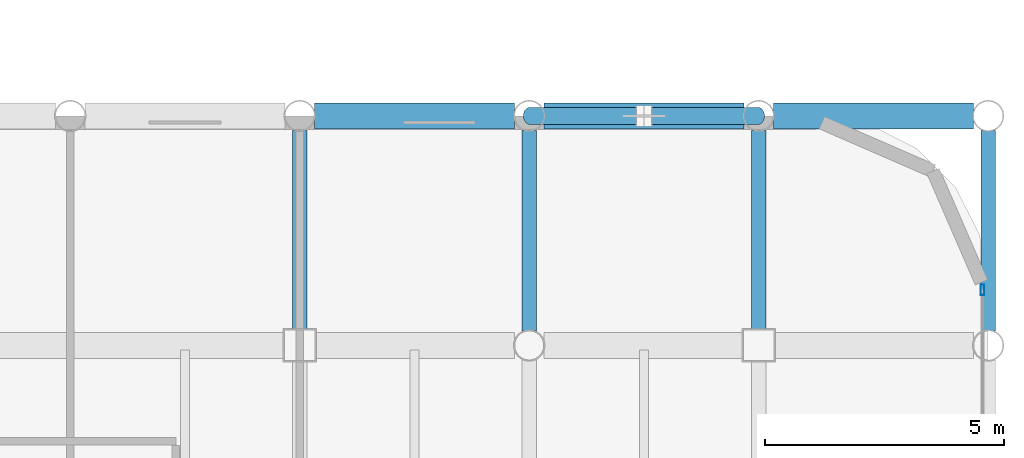
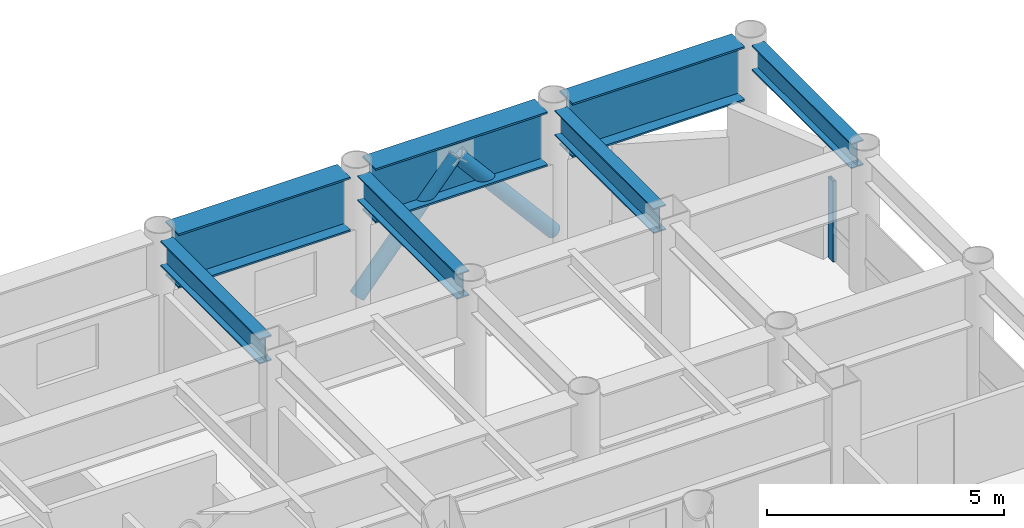
# One storey, part 15 of 22: 7 beams, 3 members, 1 element without a shape of its own.
"""IFC4 building model written with IfcOpenShell, lengths in metres."""

import ifcopenshell
import ifcopenshell.guid

model = None  # the IFC model being written
_history = None  # IfcOwnerHistory: only IFC2X3 demands one
_inside = {}  # id of a spatial element -> (the spatial element, [elements in it])
_under = {}  # id of a project, library or spatial element -> (it, [spatial elements below it])
_declared = {}  # id of a project -> (the project, [libraries it declares])
_typed = {}  # id of a type object -> (the type object, [elements of that type])
_made_of = {}  # id of a material, layer set ... -> (it, [elements and type objects made of it])


def new_model(schema):
    """Start an empty IFC model of exactly this schema.

    Asked for "IFC4X3", IfcOpenShell would pick the latest addendum, in which some entities
    have other attributes; the version numbers below select the first issue.
    IFC2X3 requires an IfcOwnerHistory on every rooted entity: one is made here for all.
    """
    global model, _history
    if schema == "IFC4X3":
        model = ifcopenshell.file(schema_version=(4, 3, 0, 0))
    else:
        model = ifcopenshell.file(schema=schema)
    _inside.clear()
    _under.clear()
    _declared.clear()
    _typed.clear()
    _made_of.clear()
    _history = None
    if model.schema == "IFC2X3":
        org = make("IfcOrganization", Name="unknown")
        user = make(
            "IfcPersonAndOrganization",
            ThePerson=make("IfcPerson", FamilyName="unknown"),
            TheOrganization=org,
        )
        app = make(
            "IfcApplication",
            ApplicationDeveloper=org,
            Version="unknown",
            ApplicationFullName="unknown",
            ApplicationIdentifier="unknown",
        )
        _history = make(
            "IfcOwnerHistory",
            OwningUser=user,
            OwningApplication=app,
            ChangeAction="ADDED",
            CreationDate=0,
        )
    return model


def make(cls, **values):
    """One entity of the class cls with the attributes given. An attribute that is None is left unset."""
    return model.create_entity(
        cls, **{name: value for name, value in values.items() if value is not None}
    )


def rooted(cls, **values):
    """An entity with a GlobalId (a new one), such as an element, a storey or a relation."""
    return make(cls, GlobalId=ifcopenshell.guid.new(), OwnerHistory=_history, **values)


def si_unit(unit_type, name, prefix=None):
    """IfcSIUnit, for example si_unit("LENGTHUNIT", "METRE", prefix="MILLI")."""
    return make("IfcSIUnit", UnitType=unit_type, Prefix=prefix, Name=name)


def assignment(units):
    """IfcUnitAssignment: the units of a project."""
    return None if units is None else make("IfcUnitAssignment", Units=units)


def point(xyz):
    """IfcCartesianPoint."""
    return None if xyz is None else make("IfcCartesianPoint", Coordinates=xyz)


def direction(xyz):
    """IfcDirection."""
    return None if xyz is None else make("IfcDirection", DirectionRatios=xyz)


def frame(location, z_axis=None, x_axis=None):
    """IfcAxis2Placement3D, a coordinate frame: its origin and axes. An axis left out is left unset."""
    return make(
        "IfcAxis2Placement3D",
        Location=point(location),
        Axis=direction(z_axis),
        RefDirection=direction(x_axis),
    )


def frame_2d(location, x_axis=None):
    """IfcAxis2Placement2D, a coordinate frame in the plane: its origin and x axis."""
    return make(
        "IfcAxis2Placement2D", Location=point(location), RefDirection=direction(x_axis)
    )


def origin():
    """The frame at (0, 0, 0) with its axes left unset."""
    return frame((0.0, 0.0, 0.0))


def origin_2d():
    """The frame at (0, 0) in the plane with its x axis left unset."""
    return frame_2d((0.0, 0.0))


def place(relative_to, where):
    """IfcLocalPlacement: puts the frame where relative to a parent placement (None: the world)."""
    return make(
        "IfcLocalPlacement", PlacementRelTo=relative_to, RelativePlacement=where
    )


def context(
    kind, dimensions, precision=None, world=None, true_north=None, identifier=None
):
    """IfcGeometricRepresentationContext, for example the 3D "Model" context."""
    return make(
        "IfcGeometricRepresentationContext",
        ContextIdentifier=identifier,
        ContextType=kind,
        CoordinateSpaceDimension=dimensions,
        Precision=precision,
        WorldCoordinateSystem=world,
        TrueNorth=true_north,
    )


def subcontext(parent, identifier, kind, view, scale=None):
    """IfcGeometricRepresentationSubContext, for example "Body" below "Model"."""
    return make(
        "IfcGeometricRepresentationSubContext",
        ContextIdentifier=identifier,
        ContextType=kind,
        ParentContext=parent,
        TargetScale=scale,
        TargetView=view,
    )


def project(units=None, contexts=None):
    """IfcProject with its units and contexts."""
    return rooted(
        "IfcProject",
        Name="project",
        RepresentationContexts=contexts,
        UnitsInContext=assignment(units),
    )


def spatial(cls, under=None, at=None, **own):
    """A site, building, storey or space (cls), placed at a placement, below another one or the project."""
    s = rooted(cls, ObjectPlacement=at, **own)
    if under is not None:
        _under.setdefault(under.id(), (under, []))[1].append(s)
    return s


def profile(cls, at=None, kind="AREA", **sizes):
    """A parametric profile (cls). Its sizes go by their IFC names, for example OverallWidth=200.0."""
    return make(cls, ProfileType=kind, Position=at, **sizes)


def hollow_rectangle(**sizes):
    """IfcRectangleHollowProfileDef."""
    return profile("IfcRectangleHollowProfileDef", **sizes)


def hollow_circle(**sizes):
    """IfcCircleHollowProfileDef."""
    return profile("IfcCircleHollowProfileDef", **sizes)


def i_section(**sizes):
    """IfcIShapeProfileDef."""
    return profile("IfcIShapeProfileDef", **sizes)


def extrude(swept, where, along, depth):
    """IfcExtrudedAreaSolid: the profile swept, set in the frame where, extruded along a direction by depth."""
    return make(
        "IfcExtrudedAreaSolid",
        SweptArea=swept,
        Position=where,
        ExtrudedDirection=direction(along),
        Depth=depth,
    )


def shape(context_of_items, identifier, shape_type, items):
    """IfcShapeRepresentation: the items that make up one representation, for example the "Body"."""
    return make(
        "IfcShapeRepresentation",
        ContextOfItems=context_of_items,
        RepresentationIdentifier=identifier,
        RepresentationType=shape_type,
        Items=items,
    )


def material(Name=None, Category=None):
    """IfcMaterial."""
    return make("IfcMaterial", Name=Name, Category=Category)


def layer(
    of_material, thickness, ventilated=None, Name=None, Category=None, Priority=None
):
    """IfcMaterialLayer: one layer of a wall or slab, of a material (None: an air gap)."""
    return make(
        "IfcMaterialLayer",
        Material=of_material,
        LayerThickness=thickness,
        IsVentilated=ventilated,
        Name=Name,
        Category=Category,
        Priority=Priority,
    )


def layer_set(layers, Name=None):
    """IfcMaterialLayerSet."""
    return make("IfcMaterialLayerSet", MaterialLayers=layers, LayerSetName=Name)


def material_profile(
    of_material, cross_section, Name=None, Category=None, Priority=None
):
    """IfcMaterialProfile: a cross section and its material."""
    return make(
        "IfcMaterialProfile",
        Name=Name,
        Material=of_material,
        Profile=cross_section,
        Priority=Priority,
        Category=Category,
    )


def profile_set(profiles, Name=None, composite=None):
    """IfcMaterialProfileSet."""
    return make(
        "IfcMaterialProfileSet",
        Name=Name,
        MaterialProfiles=profiles,
        CompositeProfile=composite,
    )


def made_of(thing, what):
    """Note that an element or type object is made of a material, layer set ...; save() writes the relation."""
    if what is not None:
        _made_of.setdefault(what.id(), (what, []))[1].append(thing)
    return thing


def type_object(cls, material=None, **own):
    """A type object (cls), such as IfcWallType, which elements share."""
    return made_of(rooted(cls, **own), material)


def element(
    cls,
    number,
    at=None,
    inside=None,
    cuts=None,
    type_object=None,
    material=None,
    context=None,
    identifier="Body",
    shape_type=None,
    held_by="IfcProductDefinitionShape",
    body=None,
    shapes=None,
    **own,
):
    """One element of the class cls, such as IfcWall. Its Tag is "e" and its number.

    at: its placement. inside: the storey or other place that contains it. cuts: it is an
    opening in that element (IfcRelVoidsElement). A single representation is given by context,
    identifier, shape_type and body (its items); several are given by shapes. held_by: the class
    of the entity that holds the representations. save() writes the other relations.
    """
    e = rooted(cls, Tag="e%d" % number, ObjectPlacement=at, **own)
    if body is not None:
        shapes = [shape(context, identifier, shape_type, body)]
    if shapes is not None:
        e.Representation = make(held_by, Representations=shapes)
    if inside is not None:
        _inside.setdefault(inside.id(), (inside, []))[1].append(e)
    if cuts is not None:
        rooted(
            "IfcRelVoidsElement", RelatingBuildingElement=cuts, RelatedOpeningElement=e
        )
    if type_object is not None:
        _typed.setdefault(type_object.id(), (type_object, []))[1].append(e)
    return made_of(e, material)


def aggregate(whole, parts):
    """IfcRelAggregates: a whole, such as a stair, and the parts it consists of."""
    return rooted("IfcRelAggregates", RelatingObject=whole, RelatedObjects=parts)


def save(model, path):
    """Write the relations noted so far, then the file.

    IfcRelAggregates (storeys below a building ...), IfcRelContainedInSpatialStructure (elements
    in a storey), IfcRelDefinesByType, IfcRelAssociatesMaterial and IfcRelDeclares: one each for
    every whole, place, type object, material and project.
    """
    for whole, parts in _under.values():
        aggregate(whole, parts)
    for where, things in _inside.values():
        rooted(
            "IfcRelContainedInSpatialStructure",
            RelatedElements=things,
            RelatingStructure=where,
        )
    for kind, things in _typed.values():
        rooted("IfcRelDefinesByType", RelatedObjects=things, RelatingType=kind)
    for what, things in _made_of.values():
        rooted("IfcRelAssociatesMaterial", RelatedObjects=things, RelatingMaterial=what)
    for by, libraries in _declared.values():
        rooted("IfcRelDeclares", RelatingContext=by, RelatedDefinitions=libraries)
    model.write(path)


model = new_model("IFC4")

# Units and contexts
model_context = context("Model", 3, precision=1e-05, world=origin(), true_north=direction((0.0, 1.0)))
body_context = subcontext(model_context, "Body", "Model", "MODEL_VIEW")
ifc_project = project(units=[si_unit("LENGTHUNIT", "METRE"), si_unit("AREAUNIT", "SQUARE_METRE"), si_unit("VOLUMEUNIT", "CUBIC_METRE"), si_unit("PLANEANGLEUNIT", "RADIAN"), si_unit("MASSUNIT", "GRAM", prefix="KILO")], contexts=[model_context])

# Site, building, storey
site_placement = place(None, origin())
site = spatial("IfcSite", under=ifc_project, at=site_placement, CompositionType="ELEMENT")
building_placement = place(site_placement, origin())
building = spatial("IfcBuilding", under=site, at=building_placement, Name="Kallvorn Hotel Tower", CompositionType="ELEMENT")
storey_placement = place(building_placement, frame((0.0, 0.0, 154.39990234375)))
storey = spatial("IfcBuildingStorey", under=building, at=storey_placement, Name="L38", CompositionType="ELEMENT", Elevation=154.39990234375)

# Beams
ifc_material_1 = material(Name="Structural steel S355JR", Category="steel")
ifc_material_profile_1 = material_profile(ifc_material_1, i_section(OverallWidth=0.300048828125, OverallDepth=0.64990234375, WebThickness=0.01611328125, FlangeThickness=0.031005859375, at=origin_2d()), Name="HE 650 B")
ifc_profile_set_1 = profile_set([ifc_material_profile_1], Name="Structural steel S355JR")
beam_type_1 = type_object("IfcBeamType", Name="BM_HE650B", PredefinedType="BEAM", material=ifc_profile_set_1)
beam_1_placement = place(storey_placement, frame((14.39990234375, 14.72509765625, 3.195068359375), z_axis=(0.0, 1.0, 0.0), x_axis=(-1.0, 0.0, 0.0)))
element("IfcBeam", 1, at=beam_1_placement, inside=storey, type_object=beam_type_1, Name="L39 Primary Y-Girder 126", PredefinedType="BEAM", context=body_context, shape_type="SweptSolid", body=[
    extrude(i_section(OverallWidth=0.300048828125, OverallDepth=0.64990234375, WebThickness=0.01611328125, FlangeThickness=0.031005859375, at=origin_2d()), origin(), (0.0, 0.0, 1.0), 4.169921875),
])
beam_2_placement = place(storey_placement, frame((19.199951171875, 14.705078125, 3.195068359375), z_axis=(0.0, 1.0, 0.0), x_axis=(-1.0, 0.0, 0.0)))
element("IfcBeam", 2, at=beam_2_placement, inside=storey, type_object=beam_type_1, Name="L39 Primary Y-Girder 135", PredefinedType="BEAM", context=body_context, shape_type="SweptSolid", body=[
    extrude(i_section(OverallWidth=0.300048828125, OverallDepth=0.64990234375, WebThickness=0.01611328125, FlangeThickness=0.031005859375, at=origin_2d()), origin(), (0.0, 0.0, 1.0), 4.18994140625),
])
beam_3_placement = place(storey_placement, frame((24.0, 14.72509765625, 3.195068359375), z_axis=(0.0, 1.0, 0.0), x_axis=(-1.0, 0.0, 0.0)))
element("IfcBeam", 3, at=beam_3_placement, inside=storey, type_object=beam_type_1, Name="L39 Primary Y-Girder 142", PredefinedType="BEAM", context=body_context, shape_type="SweptSolid", body=[
    extrude(i_section(OverallWidth=0.300048828125, OverallDepth=0.64990234375, WebThickness=0.01611328125, FlangeThickness=0.031005859375, at=origin_2d()), origin(), (0.0, 0.0, 1.0), 4.169921875),
])
beam_4_placement = place(storey_placement, frame((28.800048828125, 14.705078125, 3.195068359375), z_axis=(0.0, 1.0, 0.0), x_axis=(-1.0, 0.0, 0.0)))
element("IfcBeam", 4, at=beam_4_placement, inside=storey, type_object=beam_type_1, Name="L39 Primary Y-Girder 150", PredefinedType="BEAM", context=body_context, shape_type="SweptSolid", body=[
    extrude(i_section(OverallWidth=0.300048828125, OverallDepth=0.64990234375, WebThickness=0.01611328125, FlangeThickness=0.031005859375, at=origin_2d()), origin(), (0.0, 0.0, 1.0), 4.18994140625),
])
ifc_material_2 = material(Name="Structural steel S355JR", Category="steel")
ifc_material_profile_2 = material_profile(ifc_material_2, i_section(OverallWidth=0.550048828125, OverallDepth=1.39990234375, WebThickness=0.02490234375, FlangeThickness=0.044921875, at=origin_2d()), Name="PG 1400x550x25x45")
ifc_profile_set_2 = profile_set([ifc_material_profile_2], Name="Structural steel S355JR")
beam_type_2 = type_object("IfcBeamType", Name="BM_PG_1400", PredefinedType="BEAM", material=ifc_profile_set_2)
beam_5_placement = place(storey_placement, frame((14.705078125, 19.199951171875, 2.820068359375), z_axis=(1.0, 0.0, 0.0), x_axis=(0.0, 1.0, 0.0)))
element("IfcBeam", 5, at=beam_5_placement, inside=storey, type_object=beam_type_2, Name="L39 Primary X-Girder 70", PredefinedType="BEAM", context=body_context, shape_type="SweptSolid", body=[
    extrude(i_section(OverallWidth=0.550048828125, OverallDepth=1.39990234375, WebThickness=0.02490234375, FlangeThickness=0.044921875, at=origin_2d()), origin(), (0.0, 0.0, 1.0), 4.18994140625),
])
for number, where, z_axis, x_axis, name in (
    (6, (19.5048828125, 19.199951171875, 2.820068359375), (1.0, 0.0, 0.0), (0.0, 1.0, 0.0), "L39 Primary X-Girder 71"),
    (7, (24.304931640625, 19.199951171875, 2.820068359375), (1.0, 0.0, 0.0), (0.0, 1.0, 0.0), "L39 Primary X-Girder 72"),
):
    element("IfcBeam", number, at=place(storey_placement, frame(where, z_axis=z_axis, x_axis=x_axis)), inside=storey, type_object=beam_type_2, Name=name, PredefinedType="BEAM", context=body_context, shape_type="SweptSolid", body=[
        extrude(i_section(OverallWidth=0.550048828125, OverallDepth=1.39990234375, WebThickness=0.02490234375, FlangeThickness=0.044921875, at=origin_2d()), origin(), (0.0, 0.0, 1.0), 4.190185546875),
    ])

# Curtain wall, member
ifc_material_3 = material(Name="Thermally broken black-anodised aluminium AA 6063-T6", Category="aluminium")
ifc_layer = layer(ifc_material_3, 0.2099609375)
ifc_layer_set = layer_set([ifc_layer], Name="CW_SYS_4_HOTEL_MID")
curtain_wall_type = type_object("IfcCurtainWallType", Name="CW_SYS_4_HOTEL_MID", PredefinedType="USERDEFINED", material=ifc_layer_set)
curtain_wall_placement = place(storey_placement, origin())
curtain_wall = element("IfcCurtainWall", 8, at=curtain_wall_placement, inside=storey, type_object=curtain_wall_type, Name="L38 Dark-Glass Curtain Wall CW-L38-EN", ObjectType="UNITISED CURTAIN WALL", PredefinedType="USERDEFINED")
ifc_material_4 = material(Name="Thermally broken black-anodised aluminium AA 6063-T6", Category="aluminium")
ifc_material_profile_3 = material_profile(ifc_material_4, hollow_rectangle(XDim=0.080078125, YDim=0.219970703125, WallThickness=0.0048828125, at=origin_2d()), Name="MUL 220x80")
ifc_profile_set_3 = profile_set([ifc_material_profile_3], Name="Thermally broken black-anodised aluminium AA 6063-T6")
member_type_1 = type_object("IfcMemberType", Name="CW_MULLION_220x80", PredefinedType="MULLION", material=ifc_profile_set_3)
member_placement = place(storey_placement, frame((28.679931640625, 15.56005859375, 0.02001953125), z_axis=(0.0, 0.0, 1.0), x_axis=(1.0, 0.0, 0.0)))
member = element("IfcMember", 9, at=member_placement, type_object=member_type_1, Name="CW-L38-EN Mullion 01", PredefinedType="MULLION", context=body_context, shape_type="SweptSolid", body=[
    extrude(hollow_rectangle(XDim=0.080078125, YDim=0.219970703125, WallThickness=0.0048828125, at=origin_2d()), origin(), (0.0, 0.0, 1.0), 2.080078125),
])
aggregate(curtain_wall, [member])

# Members
ifc_material_5 = material(Name="Structural steel S355J2H", Category="steel")
ifc_material_profile_4 = material_profile(ifc_material_5, hollow_circle(Radius=0.177734375, WallThickness=0.01416015625, at=origin_2d()), Name="CHS 355.6x14.2")
ifc_profile_set_4 = profile_set([ifc_material_profile_4], Name="Structural steel S355J2H")
member_type_2 = type_object("IfcMemberType", Name="MBR_EXO_CHS355", PredefinedType="BRACE", material=ifc_profile_set_4)
for number, where, z_axis, x_axis, name in (
    (10, (19.212890625, 19.199951171875, 0.1953125), (0.646800487591, 0.0, 0.762659248453), (0.0, 1.0, 0.0), "L38 Exoskeleton K-Brace N2A"),
    (11, (23.987060546875, 19.199951171875, 0.1953125), (-0.646800487591, 0.0, 0.762659248453), (0.0, -1.0, 0.0), "L38 Exoskeleton K-Brace N2B"),
):
    element("IfcMember", number, at=place(storey_placement, frame(where, z_axis=z_axis, x_axis=x_axis)), inside=storey, type_object=member_type_2, Name=name, PredefinedType="BRACE", context=body_context, shape_type="SweptSolid", body=[
        extrude(hollow_circle(Radius=0.177734375, WallThickness=0.01416015625, at=origin_2d()), origin(), (0.0, 0.0, 1.0), 3.6708984375),
    ])

save(model, "model.ifc")
